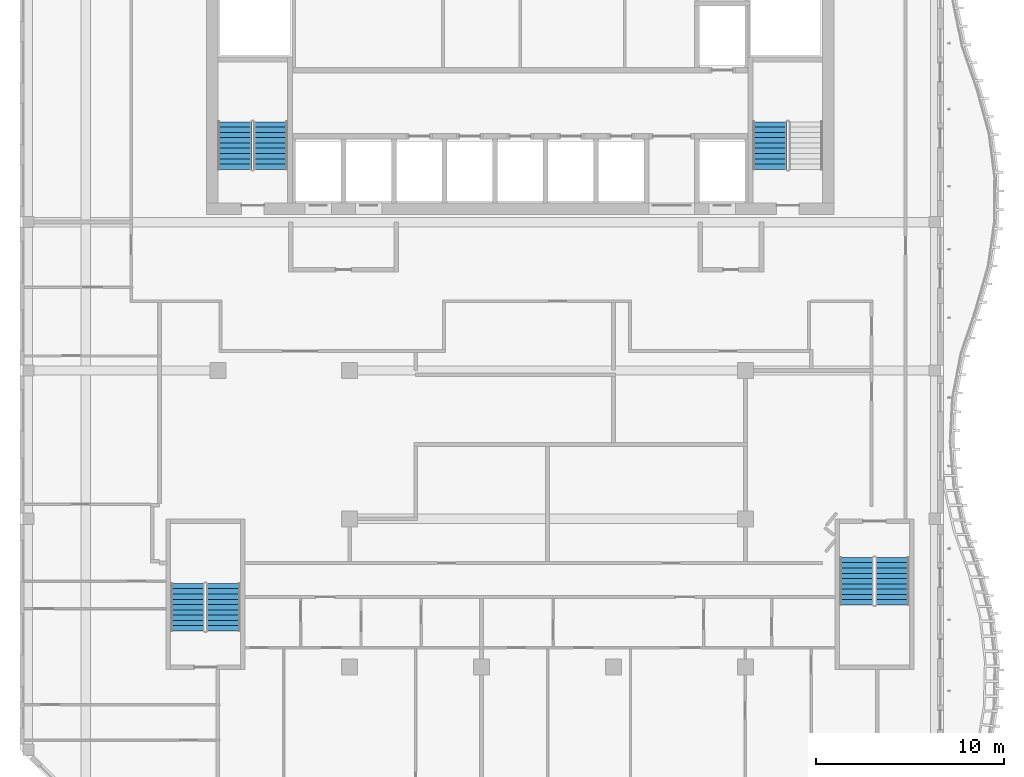
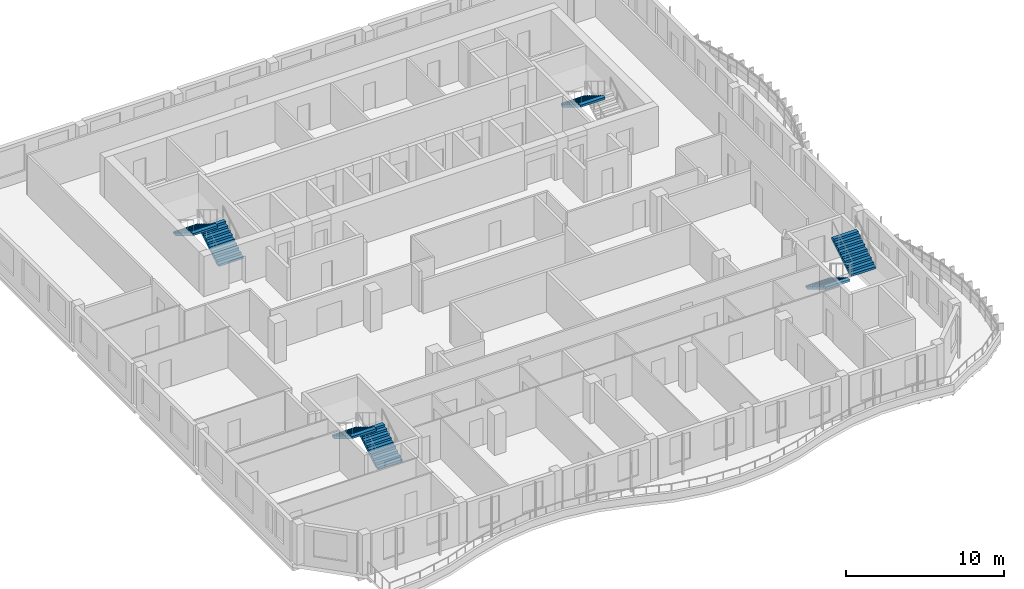
# One storey, part 9 of 17: 7 stair flights, 4 elements without a shape of their own.
"""IFC4 building model written with IfcOpenShell, lengths in metres."""

from ifc_helpers import new_model, si_unit, direction, frame, origin, place, context, subcontext, project, spatial, triangles, source, transform, mapped, material, type_object, element, aggregate, save


model = new_model("IFC4")

# Units and contexts
model_context = context("Model", 3, precision=1e-05, world=origin(), true_north=direction((0.0, 1.0)))
body_context = subcontext(model_context, "Body", "Model", "MODEL_VIEW")
ifc_project = project(units=[si_unit("LENGTHUNIT", "METRE"), si_unit("AREAUNIT", "SQUARE_METRE"), si_unit("VOLUMEUNIT", "CUBIC_METRE"), si_unit("PLANEANGLEUNIT", "RADIAN"), si_unit("MASSUNIT", "GRAM", prefix="KILO")], contexts=[model_context])

# Site, building, storey
site_placement = place(None, origin())
site = spatial("IfcSite", under=ifc_project, at=site_placement, CompositionType="ELEMENT")
building_placement = place(site_placement, origin())
building = spatial("IfcBuilding", under=site, at=building_placement, Name="Kilnfold Tower and Market Hall", CompositionType="ELEMENT")
storey_placement = place(building_placement, frame((0.0, 0.0, 301.800048828125)))
storey = spatial("IfcBuildingStorey", under=building, at=storey_placement, Name="L75", CompositionType="ELEMENT", Elevation=301.800048828125)

# Stair, stair flights
ifc_material_1 = material(Name="Concrete C40/50", Category="concrete")
stair_type = type_object("IfcStairType", Name="CORE STAIR 1800", PredefinedType="HALF_TURN_STAIR", material=ifc_material_1)
stair_1_placement = place(storey_placement, origin())
stair_1 = element("IfcStair", 1, at=stair_1_placement, inside=storey, type_object=stair_type, Name="L75 ST1", PredefinedType="HALF_TURN_STAIR")
ifc_material_2 = material(Name="Concrete C40/50", Category="concrete")
stair_flight_type = type_object("IfcStairFlightType", Name="CORE STAIR FLIGHT 1800", PredefinedType="STRAIGHT", material=ifc_material_2)
shared_shape = source(origin(), body_context, "Body", "Tessellation", [
    triangles([(0.0, 0.89990234375, 0.0), (0.0, 0.78759765625, 0.0), (0.0, 0.675048828125, 0.0), (0.0, 0.5625, 0.0), (0.0, 0.449951171875, 0.0), (0.0, 0.33740234375, 0.0), (0.0, 0.22509765625, 0.0), (0.0, 0.112548828125, 0.0), (0.0, 0.0, 0.0), (0.0, -0.112548828125, 0.0), (0.0, -0.22509765625, 0.0), (0.0, -0.33740234375, 0.0), (0.0, -0.449951171875, 0.0), (0.0, -0.5625, 0.0), (0.0, -0.675048828125, 0.0), (0.0, -0.78759765625, 0.0), (0.0, -0.89990234375, 0.0), (0.0, 0.89990234375, 0.169921875), (0.0, 0.78759765625, 0.169921875), (0.0, 0.675048828125, 0.169921875), (0.0, 0.5625, 0.169921875), (0.0, 0.449951171875, 0.169921875), (0.0, 0.33740234375, 0.169921875), (0.0, 0.22509765625, 0.169921875), (0.0, 0.112548828125, 0.169921875), (0.0, 0.0, 0.169921875), (0.0, -0.112548828125, 0.169921875), (0.0, -0.22509765625, 0.169921875), (0.0, -0.33740234375, 0.169921875), (0.0, -0.449951171875, 0.169921875), (0.0, -0.5625, 0.169921875), (0.0, -0.675048828125, 0.169921875), (0.0, -0.78759765625, 0.169921875), (0.0, -0.89990234375, 0.169921875), (0.280029296875, 0.89990234375, 0.169921875), (0.280029296875, 0.78759765625, 0.169921875), (0.280029296875, 0.675048828125, 0.169921875), (0.280029296875, 0.5625, 0.169921875), (0.280029296875, 0.449951171875, 0.169921875), (0.280029296875, 0.33740234375, 0.169921875), (0.280029296875, 0.22509765625, 0.169921875), (0.280029296875, 0.112548828125, 0.169921875), (0.280029296875, 0.0, 0.169921875), (0.280029296875, -0.112548828125, 0.169921875), (0.280029296875, -0.22509765625, 0.169921875), (0.280029296875, -0.33740234375, 0.169921875), (0.280029296875, -0.449951171875, 0.169921875), (0.280029296875, -0.5625, 0.169921875), (0.280029296875, -0.675048828125, 0.169921875), (0.280029296875, -0.78759765625, 0.169921875), (0.280029296875, -0.89990234375, 0.169921875), (0.280029296875, 0.89990234375, 0.340087890625), (0.280029296875, 0.78759765625, 0.340087890625), (0.280029296875, 0.675048828125, 0.340087890625), (0.280029296875, 0.5625, 0.340087890625), (0.280029296875, 0.449951171875, 0.340087890625), (0.280029296875, 0.33740234375, 0.340087890625), (0.280029296875, 0.22509765625, 0.340087890625), (0.280029296875, 0.112548828125, 0.340087890625), (0.280029296875, 0.0, 0.340087890625), (0.280029296875, -0.112548828125, 0.340087890625), (0.280029296875, -0.22509765625, 0.340087890625), (0.280029296875, -0.33740234375, 0.340087890625), (0.280029296875, -0.449951171875, 0.340087890625), (0.280029296875, -0.5625, 0.340087890625), (0.280029296875, -0.675048828125, 0.340087890625), (0.280029296875, -0.78759765625, 0.340087890625), (0.280029296875, -0.89990234375, 0.340087890625), (0.56005859375, 0.89990234375, 0.340087890625), (0.56005859375, 0.78759765625, 0.340087890625), (0.56005859375, 0.675048828125, 0.340087890625), (0.56005859375, 0.5625, 0.340087890625), (0.56005859375, 0.449951171875, 0.340087890625), (0.56005859375, 0.33740234375, 0.340087890625), (0.56005859375, 0.22509765625, 0.340087890625), (0.56005859375, 0.112548828125, 0.340087890625), (0.56005859375, 0.0, 0.340087890625), (0.56005859375, -0.112548828125, 0.340087890625), (0.56005859375, -0.22509765625, 0.340087890625), (0.56005859375, -0.33740234375, 0.340087890625), (0.56005859375, -0.449951171875, 0.340087890625), (0.56005859375, -0.5625, 0.340087890625), (0.56005859375, -0.675048828125, 0.340087890625), (0.56005859375, -0.78759765625, 0.340087890625), (0.56005859375, -0.89990234375, 0.340087890625), (0.56005859375, 0.89990234375, 0.510009765625), (0.56005859375, 0.78759765625, 0.510009765625), (0.56005859375, 0.675048828125, 0.510009765625), (0.56005859375, 0.5625, 0.510009765625), (0.56005859375, 0.449951171875, 0.510009765625), (0.56005859375, 0.33740234375, 0.510009765625), (0.56005859375, 0.22509765625, 0.510009765625), (0.56005859375, 0.112548828125, 0.510009765625), (0.56005859375, 0.0, 0.510009765625), (0.56005859375, -0.112548828125, 0.510009765625), (0.56005859375, -0.22509765625, 0.510009765625), (0.56005859375, -0.33740234375, 0.510009765625), (0.56005859375, -0.449951171875, 0.510009765625), (0.56005859375, -0.5625, 0.510009765625), (0.56005859375, -0.675048828125, 0.510009765625), (0.56005859375, -0.78759765625, 0.510009765625), (0.56005859375, -0.89990234375, 0.510009765625), (0.840087890625, 0.89990234375, 0.510009765625), (0.840087890625, 0.78759765625, 0.510009765625), (0.840087890625, 0.675048828125, 0.510009765625), (0.840087890625, 0.5625, 0.510009765625), (0.840087890625, 0.449951171875, 0.510009765625), (0.840087890625, 0.33740234375, 0.510009765625), (0.840087890625, 0.22509765625, 0.510009765625), (0.840087890625, 0.112548828125, 0.510009765625), (0.840087890625, 0.0, 0.510009765625), (0.840087890625, -0.112548828125, 0.510009765625), (0.840087890625, -0.22509765625, 0.510009765625), (0.840087890625, -0.33740234375, 0.510009765625), (0.840087890625, -0.449951171875, 0.510009765625), (0.840087890625, -0.5625, 0.510009765625), (0.840087890625, -0.675048828125, 0.510009765625), (0.840087890625, -0.78759765625, 0.510009765625), (0.840087890625, -0.89990234375, 0.510009765625), (0.840087890625, 0.89990234375, 0.679931640625), (0.840087890625, 0.78759765625, 0.679931640625), (0.840087890625, 0.675048828125, 0.679931640625), (0.840087890625, 0.5625, 0.679931640625), (0.840087890625, 0.449951171875, 0.679931640625), (0.840087890625, 0.33740234375, 0.679931640625), (0.840087890625, 0.22509765625, 0.679931640625), (0.840087890625, 0.112548828125, 0.679931640625), (0.840087890625, 0.0, 0.679931640625), (0.840087890625, -0.112548828125, 0.679931640625), (0.840087890625, -0.22509765625, 0.679931640625), (0.840087890625, -0.33740234375, 0.679931640625), (0.840087890625, -0.449951171875, 0.679931640625), (0.840087890625, -0.5625, 0.679931640625), (0.840087890625, -0.675048828125, 0.679931640625), (0.840087890625, -0.78759765625, 0.679931640625), (0.840087890625, -0.89990234375, 0.679931640625), (1.1201171875, 0.89990234375, 0.679931640625), (1.1201171875, 0.78759765625, 0.679931640625), (1.1201171875, 0.675048828125, 0.679931640625), (1.1201171875, 0.5625, 0.679931640625), (1.1201171875, 0.449951171875, 0.679931640625), (1.1201171875, 0.33740234375, 0.679931640625), (1.1201171875, 0.22509765625, 0.679931640625), (1.1201171875, 0.112548828125, 0.679931640625), (1.1201171875, 0.0, 0.679931640625), (1.1201171875, -0.112548828125, 0.679931640625), (1.1201171875, -0.22509765625, 0.679931640625), (1.1201171875, -0.33740234375, 0.679931640625), (1.1201171875, -0.449951171875, 0.679931640625), (1.1201171875, -0.5625, 0.679931640625), (1.1201171875, -0.675048828125, 0.679931640625), (1.1201171875, -0.78759765625, 0.679931640625), (1.1201171875, -0.89990234375, 0.679931640625), (1.1201171875, 0.89990234375, 0.85009765625), (1.1201171875, 0.78759765625, 0.85009765625), (1.1201171875, 0.675048828125, 0.85009765625), (1.1201171875, 0.5625, 0.85009765625), (1.1201171875, 0.449951171875, 0.85009765625), (1.1201171875, 0.33740234375, 0.85009765625), (1.1201171875, 0.22509765625, 0.85009765625), (1.1201171875, 0.112548828125, 0.85009765625), (1.1201171875, 0.0, 0.85009765625), (1.1201171875, -0.112548828125, 0.85009765625), (1.1201171875, -0.22509765625, 0.85009765625), (1.1201171875, -0.33740234375, 0.85009765625), (1.1201171875, -0.449951171875, 0.85009765625), (1.1201171875, -0.5625, 0.85009765625), (1.1201171875, -0.675048828125, 0.85009765625), (1.1201171875, -0.78759765625, 0.85009765625), (1.1201171875, -0.89990234375, 0.85009765625), (1.39990234375, 0.89990234375, 0.85009765625), (1.39990234375, 0.78759765625, 0.85009765625), (1.39990234375, 0.675048828125, 0.85009765625), (1.39990234375, 0.5625, 0.85009765625), (1.39990234375, 0.449951171875, 0.85009765625), (1.39990234375, 0.33740234375, 0.85009765625), (1.39990234375, 0.22509765625, 0.85009765625), (1.39990234375, 0.112548828125, 0.85009765625), (1.39990234375, 0.0, 0.85009765625), (1.39990234375, -0.112548828125, 0.85009765625), (1.39990234375, -0.22509765625, 0.85009765625), (1.39990234375, -0.33740234375, 0.85009765625), (1.39990234375, -0.449951171875, 0.85009765625), (1.39990234375, -0.5625, 0.85009765625), (1.39990234375, -0.675048828125, 0.85009765625), (1.39990234375, -0.78759765625, 0.85009765625), (1.39990234375, -0.89990234375, 0.85009765625), (1.39990234375, 0.89990234375, 1.02001953125), (1.39990234375, 0.78759765625, 1.02001953125), (1.39990234375, 0.675048828125, 1.02001953125), (1.39990234375, 0.5625, 1.02001953125), (1.39990234375, 0.449951171875, 1.02001953125), (1.39990234375, 0.33740234375, 1.02001953125), (1.39990234375, 0.22509765625, 1.02001953125), (1.39990234375, 0.112548828125, 1.02001953125), (1.39990234375, 0.0, 1.02001953125), (1.39990234375, -0.112548828125, 1.02001953125), (1.39990234375, -0.22509765625, 1.02001953125), (1.39990234375, -0.33740234375, 1.02001953125), (1.39990234375, -0.449951171875, 1.02001953125), (1.39990234375, -0.5625, 1.02001953125), (1.39990234375, -0.675048828125, 1.02001953125), (1.39990234375, -0.78759765625, 1.02001953125), (1.39990234375, -0.89990234375, 1.02001953125), (1.679931640625, 0.89990234375, 1.02001953125), (1.679931640625, 0.78759765625, 1.02001953125), (1.679931640625, 0.675048828125, 1.02001953125), (1.679931640625, 0.5625, 1.02001953125), (1.679931640625, 0.449951171875, 1.02001953125), (1.679931640625, 0.33740234375, 1.02001953125), (1.679931640625, 0.22509765625, 1.02001953125), (1.679931640625, 0.112548828125, 1.02001953125), (1.679931640625, 0.0, 1.02001953125), (1.679931640625, -0.112548828125, 1.02001953125), (1.679931640625, -0.22509765625, 1.02001953125), (1.679931640625, -0.33740234375, 1.02001953125), (1.679931640625, -0.449951171875, 1.02001953125), (1.679931640625, -0.5625, 1.02001953125), (1.679931640625, -0.675048828125, 1.02001953125), (1.679931640625, -0.78759765625, 1.02001953125), (1.679931640625, -0.89990234375, 1.02001953125), (1.679931640625, 0.89990234375, 1.18994140625), (1.679931640625, 0.78759765625, 1.18994140625), (1.679931640625, 0.675048828125, 1.18994140625), (1.679931640625, 0.5625, 1.18994140625), (1.679931640625, 0.449951171875, 1.18994140625), (1.679931640625, 0.33740234375, 1.18994140625), (1.679931640625, 0.22509765625, 1.18994140625), (1.679931640625, 0.112548828125, 1.18994140625), (1.679931640625, 0.0, 1.18994140625), (1.679931640625, -0.112548828125, 1.18994140625), (1.679931640625, -0.22509765625, 1.18994140625), (1.679931640625, -0.33740234375, 1.18994140625), (1.679931640625, -0.449951171875, 1.18994140625), (1.679931640625, -0.5625, 1.18994140625), (1.679931640625, -0.675048828125, 1.18994140625), (1.679931640625, -0.78759765625, 1.18994140625), (1.679931640625, -0.89990234375, 1.18994140625), (1.9599609375, 0.89990234375, 1.18994140625), (1.9599609375, 0.78759765625, 1.18994140625), (1.9599609375, 0.675048828125, 1.18994140625), (1.9599609375, 0.5625, 1.18994140625), (1.9599609375, 0.449951171875, 1.18994140625), (1.9599609375, 0.33740234375, 1.18994140625), (1.9599609375, 0.22509765625, 1.18994140625), (1.9599609375, 0.112548828125, 1.18994140625), (1.9599609375, 0.0, 1.18994140625), (1.9599609375, -0.112548828125, 1.18994140625), (1.9599609375, -0.22509765625, 1.18994140625), (1.9599609375, -0.33740234375, 1.18994140625), (1.9599609375, -0.449951171875, 1.18994140625), (1.9599609375, -0.5625, 1.18994140625), (1.9599609375, -0.675048828125, 1.18994140625), (1.9599609375, -0.78759765625, 1.18994140625), (1.9599609375, -0.89990234375, 1.18994140625), (1.9599609375, 0.89990234375, 1.360107421875), (1.9599609375, 0.78759765625, 1.360107421875), (1.9599609375, 0.675048828125, 1.360107421875), (1.9599609375, 0.5625, 1.360107421875), (1.9599609375, 0.449951171875, 1.360107421875), (1.9599609375, 0.33740234375, 1.360107421875), (1.9599609375, 0.22509765625, 1.360107421875), (1.9599609375, 0.112548828125, 1.360107421875), (1.9599609375, 0.0, 1.360107421875), (1.9599609375, -0.112548828125, 1.360107421875), (1.9599609375, -0.22509765625, 1.360107421875), (1.9599609375, -0.33740234375, 1.360107421875), (1.9599609375, -0.449951171875, 1.360107421875), (1.9599609375, -0.5625, 1.360107421875), (1.9599609375, -0.675048828125, 1.360107421875), (1.9599609375, -0.78759765625, 1.360107421875), (1.9599609375, -0.89990234375, 1.360107421875), (2.239990234375, 0.89990234375, 1.360107421875), (2.239990234375, 0.78759765625, 1.360107421875), (2.239990234375, 0.675048828125, 1.360107421875), (2.239990234375, 0.5625, 1.360107421875), (2.239990234375, 0.449951171875, 1.360107421875), (2.239990234375, 0.33740234375, 1.360107421875), (2.239990234375, 0.22509765625, 1.360107421875), (2.239990234375, 0.112548828125, 1.360107421875), (2.239990234375, 0.0, 1.360107421875), (2.239990234375, -0.112548828125, 1.360107421875), (2.239990234375, -0.22509765625, 1.360107421875), (2.239990234375, -0.33740234375, 1.360107421875), (2.239990234375, -0.449951171875, 1.360107421875), (2.239990234375, -0.5625, 1.360107421875), (2.239990234375, -0.675048828125, 1.360107421875), (2.239990234375, -0.78759765625, 1.360107421875), (2.239990234375, -0.89990234375, 1.360107421875), (2.239990234375, 0.89990234375, 1.530029296875), (2.239990234375, 0.78759765625, 1.530029296875), (2.239990234375, 0.675048828125, 1.530029296875), (2.239990234375, 0.5625, 1.530029296875), (2.239990234375, 0.449951171875, 1.530029296875), (2.239990234375, 0.33740234375, 1.530029296875), (2.239990234375, 0.22509765625, 1.530029296875), (2.239990234375, 0.112548828125, 1.530029296875), (2.239990234375, 0.0, 1.530029296875), (2.239990234375, -0.112548828125, 1.530029296875), (2.239990234375, -0.22509765625, 1.530029296875), (2.239990234375, -0.33740234375, 1.530029296875), (2.239990234375, -0.449951171875, 1.530029296875), (2.239990234375, -0.5625, 1.530029296875), (2.239990234375, -0.675048828125, 1.530029296875), (2.239990234375, -0.78759765625, 1.530029296875), (2.239990234375, -0.89990234375, 1.530029296875), (2.52001953125, 0.89990234375, 1.530029296875), (2.52001953125, 0.78759765625, 1.530029296875), (2.52001953125, 0.675048828125, 1.530029296875), (2.52001953125, 0.5625, 1.530029296875), (2.52001953125, 0.449951171875, 1.530029296875), (2.52001953125, 0.33740234375, 1.530029296875), (2.52001953125, 0.22509765625, 1.530029296875), (2.52001953125, 0.112548828125, 1.530029296875), (2.52001953125, 0.0, 1.530029296875), (2.52001953125, -0.112548828125, 1.530029296875), (2.52001953125, -0.22509765625, 1.530029296875), (2.52001953125, -0.33740234375, 1.530029296875), (2.52001953125, -0.449951171875, 1.530029296875), (2.52001953125, -0.5625, 1.530029296875), (2.52001953125, -0.675048828125, 1.530029296875), (2.52001953125, -0.78759765625, 1.530029296875), (2.52001953125, -0.89990234375, 1.530029296875), (2.52001953125, 0.89990234375, 1.354736328125), (2.52001953125, 0.78759765625, 1.354736328125), (2.52001953125, 0.675048828125, 1.354736328125), (2.52001953125, 0.5625, 1.354736328125), (2.52001953125, 0.449951171875, 1.354736328125), (2.52001953125, 0.33740234375, 1.354736328125), (2.52001953125, 0.22509765625, 1.354736328125), (2.52001953125, 0.112548828125, 1.354736328125), (2.52001953125, 0.0, 1.354736328125), (2.52001953125, -0.112548828125, 1.354736328125), (2.52001953125, -0.22509765625, 1.354736328125), (2.52001953125, -0.33740234375, 1.354736328125), (2.52001953125, -0.449951171875, 1.354736328125), (2.52001953125, -0.5625, 1.354736328125), (2.52001953125, -0.675048828125, 1.354736328125), (2.52001953125, -0.78759765625, 1.354736328125), (2.52001953125, -0.89990234375, 1.354736328125), (0.288818359375, 0.89990234375, 0.0), (0.288818359375, 0.78759765625, 0.0), (0.288818359375, 0.675048828125, 0.0), (0.288818359375, 0.5625, 0.0), (0.288818359375, 0.449951171875, 0.0), (0.288818359375, 0.33740234375, 0.0), (0.288818359375, 0.22509765625, 0.0), (0.288818359375, 0.112548828125, 0.0), (0.288818359375, 0.0, 0.0), (0.288818359375, -0.112548828125, 0.0), (0.288818359375, -0.22509765625, 0.0), (0.288818359375, -0.33740234375, 0.0), (0.288818359375, -0.449951171875, 0.0), (0.288818359375, -0.5625, 0.0), (0.288818359375, -0.675048828125, 0.0), (0.288818359375, -0.78759765625, 0.0), (0.288818359375, -0.89990234375, 0.0)], [[1, 324, 341], [17, 357, 340], [324, 290, 307], [340, 323, 306], [324, 273, 290], [340, 306, 289], [324, 256, 273], [340, 289, 272], [324, 239, 256], [340, 272, 255], [239, 205, 222], [255, 238, 221], [324, 205, 239], [340, 255, 221], [205, 171, 188], [221, 204, 187], [324, 171, 205], [340, 221, 187], [171, 137, 154], [187, 170, 153], [324, 137, 171], [340, 187, 153], [137, 103, 120], [153, 136, 119], [324, 103, 137], [340, 153, 119], [103, 69, 86], [119, 102, 85], [324, 69, 103], [340, 119, 85], [69, 35, 52], [85, 68, 51], [324, 35, 69], [340, 85, 51], [1, 35, 324], [17, 340, 51], [35, 1, 18], [51, 34, 17], [1, 19, 18], [1, 2, 19], [2, 20, 19], [2, 3, 20], [3, 21, 20], [3, 4, 21], [4, 22, 21], [4, 5, 22], [5, 23, 22], [5, 6, 23], [6, 24, 23], [6, 7, 24], [7, 25, 24], [7, 8, 25], [8, 26, 25], [8, 9, 26], [9, 27, 26], [9, 10, 27], [10, 28, 27], [10, 11, 28], [11, 29, 28], [11, 12, 29], [12, 30, 29], [12, 13, 30], [13, 31, 30], [13, 14, 31], [14, 32, 31], [14, 15, 32], [15, 33, 32], [15, 16, 33], [16, 34, 33], [16, 17, 34], [18, 36, 35], [18, 19, 36], [19, 37, 36], [19, 20, 37], [20, 38, 37], [20, 21, 38], [21, 39, 38], [21, 22, 39], [22, 40, 39], [22, 23, 40], [23, 41, 40], [23, 24, 41], [24, 42, 41], [24, 25, 42], [25, 43, 42], [25, 26, 43], [26, 44, 43], [26, 27, 44], [27, 45, 44], [27, 28, 45], [28, 46, 45], [28, 29, 46], [29, 47, 46], [29, 30, 47], [30, 48, 47], [30, 31, 48], [31, 49, 48], [31, 32, 49], [32, 50, 49], [32, 33, 50], [33, 51, 50], [33, 34, 51], [35, 53, 52], [35, 36, 53], [36, 54, 53], [36, 37, 54], [37, 55, 54], [37, 38, 55], [38, 56, 55], [38, 39, 56], [39, 57, 56], [39, 40, 57], [40, 58, 57], [40, 41, 58], [41, 59, 58], [41, 42, 59], [42, 60, 59], [42, 43, 60], [43, 61, 60], [43, 44, 61], [44, 62, 61], [44, 45, 62], [45, 63, 62], [45, 46, 63], [46, 64, 63], [46, 47, 64], [47, 65, 64], [47, 48, 65], [48, 66, 65], [48, 49, 66], [49, 67, 66], [49, 50, 67], [50, 68, 67], [50, 51, 68], [52, 70, 69], [52, 53, 70], [53, 71, 70], [53, 54, 71], [54, 72, 71], [54, 55, 72], [55, 73, 72], [55, 56, 73], [56, 74, 73], [56, 57, 74], [57, 75, 74], [57, 58, 75], [58, 76, 75], [58, 59, 76], [59, 77, 76], [59, 60, 77], [60, 78, 77], [60, 61, 78], [61, 79, 78], [61, 62, 79], [62, 80, 79], [62, 63, 80], [63, 81, 80], [63, 64, 81], [64, 82, 81], [64, 65, 82], [65, 83, 82], [65, 66, 83], [66, 84, 83], [66, 67, 84], [67, 85, 84], [67, 68, 85], [69, 87, 86], [69, 70, 87], [70, 88, 87], [70, 71, 88], [71, 89, 88], [71, 72, 89], [72, 90, 89], [72, 73, 90], [73, 91, 90], [73, 74, 91], [74, 92, 91], [74, 75, 92], [75, 93, 92], [75, 76, 93], [76, 94, 93], [76, 77, 94], [77, 95, 94], [77, 78, 95], [78, 96, 95], [78, 79, 96], [79, 97, 96], [79, 80, 97], [80, 98, 97], [80, 81, 98], [81, 99, 98], [81, 82, 99], [82, 100, 99], [82, 83, 100], [83, 101, 100], [83, 84, 101], [84, 102, 101], [84, 85, 102], [86, 104, 103], [86, 87, 104], [87, 105, 104], [87, 88, 105], [88, 106, 105], [88, 89, 106], [89, 107, 106], [89, 90, 107], [90, 108, 107], [90, 91, 108], [91, 109, 108], [91, 92, 109], [92, 110, 109], [92, 93, 110], [93, 111, 110], [93, 94, 111], [94, 112, 111], [94, 95, 112], [95, 113, 112], [95, 96, 113], [96, 114, 113], [96, 97, 114], [97, 115, 114], [97, 98, 115], [98, 116, 115], [98, 99, 116], [99, 117, 116], [99, 100, 117], [100, 118, 117], [100, 101, 118], [101, 119, 118], [101, 102, 119], [103, 121, 120], [103, 104, 121], [104, 122, 121], [104, 105, 122], [105, 123, 122], [105, 106, 123], [106, 124, 123], [106, 107, 124], [107, 125, 124], [107, 108, 125], [108, 126, 125], [108, 109, 126], [109, 127, 126], [109, 110, 127], [110, 128, 127], [110, 111, 128], [111, 129, 128], [111, 112, 129], [112, 130, 129], [112, 113, 130], [113, 131, 130], [113, 114, 131], [114, 132, 131], [114, 115, 132], [115, 133, 132], [115, 116, 133], [116, 134, 133], [116, 117, 134], [117, 135, 134], [117, 118, 135], [118, 136, 135], [118, 119, 136], [120, 138, 137], [120, 121, 138], [121, 139, 138], [121, 122, 139], [122, 140, 139], [122, 123, 140], [123, 141, 140], [123, 124, 141], [124, 142, 141], [124, 125, 142], [125, 143, 142], [125, 126, 143], [126, 144, 143], [126, 127, 144], [127, 145, 144], [127, 128, 145], [128, 146, 145], [128, 129, 146], [129, 147, 146], [129, 130, 147], [130, 148, 147], [130, 131, 148], [131, 149, 148], [131, 132, 149], [132, 150, 149], [132, 133, 150], [133, 151, 150], [133, 134, 151], [134, 152, 151], [134, 135, 152], [135, 153, 152], [135, 136, 153], [137, 155, 154], [137, 138, 155], [138, 156, 155], [138, 139, 156], [139, 157, 156], [139, 140, 157], [140, 158, 157], [140, 141, 158], [141, 159, 158], [141, 142, 159], [142, 160, 159], [142, 143, 160], [143, 161, 160], [143, 144, 161], [144, 162, 161], [144, 145, 162], [145, 163, 162], [145, 146, 163], [146, 164, 163], [146, 147, 164], [147, 165, 164], [147, 148, 165], [148, 166, 165], [148, 149, 166], [149, 167, 166], [149, 150, 167], [150, 168, 167], [150, 151, 168], [151, 169, 168], [151, 152, 169], [152, 170, 169], [152, 153, 170], [154, 172, 171], [154, 155, 172], [155, 173, 172], [155, 156, 173], [156, 174, 173], [156, 157, 174], [157, 175, 174], [157, 158, 175], [158, 176, 175], [158, 159, 176], [159, 177, 176], [159, 160, 177], [160, 178, 177], [160, 161, 178], [161, 179, 178], [161, 162, 179], [162, 180, 179], [162, 163, 180], [163, 181, 180], [163, 164, 181], [164, 182, 181], [164, 165, 182], [165, 183, 182], [165, 166, 183], [166, 184, 183], [166, 167, 184], [167, 185, 184], [167, 168, 185], [168, 186, 185], [168, 169, 186], [169, 187, 186], [169, 170, 187], [171, 189, 188], [171, 172, 189], [172, 190, 189], [172, 173, 190], [173, 191, 190], [173, 174, 191], [174, 192, 191], [174, 175, 192], [175, 193, 192], [175, 176, 193], [176, 194, 193], [176, 177, 194], [177, 195, 194], [177, 178, 195], [178, 196, 195], [178, 179, 196], [179, 197, 196], [179, 180, 197], [180, 198, 197], [180, 181, 198], [181, 199, 198], [181, 182, 199], [182, 200, 199], [182, 183, 200], [183, 201, 200], [183, 184, 201], [184, 202, 201], [184, 185, 202], [185, 203, 202], [185, 186, 203], [186, 204, 203], [186, 187, 204], [188, 206, 205], [188, 189, 206], [189, 207, 206], [189, 190, 207], [190, 208, 207], [190, 191, 208], [191, 209, 208], [191, 192, 209], [192, 210, 209], [192, 193, 210], [193, 211, 210], [193, 194, 211], [194, 212, 211], [194, 195, 212], [195, 213, 212], [195, 196, 213], [196, 214, 213], [196, 197, 214], [197, 215, 214], [197, 198, 215], [198, 216, 215], [198, 199, 216], [199, 217, 216], [199, 200, 217], [200, 218, 217], [200, 201, 218], [201, 219, 218], [201, 202, 219], [202, 220, 219], [202, 203, 220], [203, 221, 220], [203, 204, 221], [205, 223, 222], [205, 206, 223], [206, 224, 223], [206, 207, 224], [207, 225, 224], [207, 208, 225], [208, 226, 225], [208, 209, 226], [209, 227, 226], [209, 210, 227], [210, 228, 227], [210, 211, 228], [211, 229, 228], [211, 212, 229], [212, 230, 229], [212, 213, 230], [213, 231, 230], [213, 214, 231], [214, 232, 231], [214, 215, 232], [215, 233, 232], [215, 216, 233], [216, 234, 233], [216, 217, 234], [217, 235, 234], [217, 218, 235], [218, 236, 235], [218, 219, 236], [219, 237, 236], [219, 220, 237], [220, 238, 237], [220, 221, 238], [222, 240, 239], [222, 223, 240], [223, 241, 240], [223, 224, 241], [224, 242, 241], [224, 225, 242], [225, 243, 242], [225, 226, 243], [226, 244, 243], [226, 227, 244], [227, 245, 244], [227, 228, 245], [228, 246, 245], [228, 229, 246], [229, 247, 246], [229, 230, 247], [230, 248, 247], [230, 231, 248], [231, 249, 248], [231, 232, 249], [232, 250, 249], [232, 233, 250], [233, 251, 250], [233, 234, 251], [234, 252, 251], [234, 235, 252], [235, 253, 252], [235, 236, 253], [236, 254, 253], [236, 237, 254], [237, 255, 254], [237, 238, 255], [239, 257, 256], [239, 240, 257], [240, 258, 257], [240, 241, 258], [241, 259, 258], [241, 242, 259], [242, 260, 259], [242, 243, 260], [243, 261, 260], [243, 244, 261], [244, 262, 261], [244, 245, 262], [245, 263, 262], [245, 246, 263], [246, 264, 263], [246, 247, 264], [247, 265, 264], [247, 248, 265], [248, 266, 265], [248, 249, 266], [249, 267, 266], [249, 250, 267], [250, 268, 267], [250, 251, 268], [251, 269, 268], [251, 252, 269], [252, 270, 269], [252, 253, 270], [253, 271, 270], [253, 254, 271], [254, 272, 271], [254, 255, 272], [256, 274, 273], [256, 257, 274], [257, 275, 274], [257, 258, 275], [258, 276, 275], [258, 259, 276], [259, 277, 276], [259, 260, 277], [260, 278, 277], [260, 261, 278], [261, 279, 278], [261, 262, 279], [262, 280, 279], [262, 263, 280], [263, 281, 280], [263, 264, 281], [264, 282, 281], [264, 265, 282], [265, 283, 282], [265, 266, 283], [266, 284, 283], [266, 267, 284], [267, 285, 284], [267, 268, 285], [268, 286, 285], [268, 269, 286], [269, 287, 286], [269, 270, 287], [270, 288, 287], [270, 271, 288], [271, 289, 288], [271, 272, 289], [273, 291, 290], [273, 274, 291], [274, 292, 291], [274, 275, 292], [275, 293, 292], [275, 276, 293], [276, 294, 293], [276, 277, 294], [277, 295, 294], [277, 278, 295], [278, 296, 295], [278, 279, 296], [279, 297, 296], [279, 280, 297], [280, 298, 297], [280, 281, 298], [281, 299, 298], [281, 282, 299], [282, 300, 299], [282, 283, 300], [283, 301, 300], [283, 284, 301], [284, 302, 301], [284, 285, 302], [285, 303, 302], [285, 286, 303], [286, 304, 303], [286, 287, 304], [287, 305, 304], [287, 288, 305], [288, 306, 305], [288, 289, 306], [290, 308, 307], [290, 291, 308], [291, 309, 308], [291, 292, 309], [292, 310, 309], [292, 293, 310], [293, 311, 310], [293, 294, 311], [294, 312, 311], [294, 295, 312], [295, 313, 312], [295, 296, 313], [296, 314, 313], [296, 297, 314], [297, 315, 314], [297, 298, 315], [298, 316, 315], [298, 299, 316], [299, 317, 316], [299, 300, 317], [300, 318, 317], [300, 301, 318], [301, 319, 318], [301, 302, 319], [302, 320, 319], [302, 303, 320], [303, 321, 320], [303, 304, 321], [304, 322, 321], [304, 305, 322], [305, 323, 322], [305, 306, 323], [307, 325, 324], [307, 308, 325], [308, 326, 325], [308, 309, 326], [309, 327, 326], [309, 310, 327], [310, 328, 327], [310, 311, 328], [311, 329, 328], [311, 312, 329], [312, 330, 329], [312, 313, 330], [313, 331, 330], [313, 314, 331], [314, 332, 331], [314, 315, 332], [315, 333, 332], [315, 316, 333], [316, 334, 333], [316, 317, 334], [317, 335, 334], [317, 318, 335], [318, 336, 335], [318, 319, 336], [319, 337, 336], [319, 320, 337], [320, 338, 337], [320, 321, 338], [321, 339, 338], [321, 322, 339], [322, 340, 339], [322, 323, 340], [324, 342, 341], [324, 325, 342], [325, 343, 342], [325, 326, 343], [326, 344, 343], [326, 327, 344], [327, 345, 344], [327, 328, 345], [328, 346, 345], [328, 329, 346], [329, 347, 346], [329, 330, 347], [330, 348, 347], [330, 331, 348], [331, 349, 348], [331, 332, 349], [332, 350, 349], [332, 333, 350], [333, 351, 350], [333, 334, 351], [334, 352, 351], [334, 335, 352], [335, 353, 352], [335, 336, 353], [336, 354, 353], [336, 337, 354], [337, 355, 354], [337, 338, 355], [338, 356, 355], [338, 339, 356], [339, 357, 356], [339, 340, 357], [341, 2, 1], [341, 342, 2], [342, 3, 2], [342, 343, 3], [343, 4, 3], [343, 344, 4], [344, 5, 4], [344, 345, 5], [345, 6, 5], [345, 346, 6], [346, 7, 6], [346, 347, 7], [347, 8, 7], [347, 348, 8], [348, 9, 8], [348, 349, 9], [349, 10, 9], [349, 350, 10], [350, 11, 10], [350, 351, 11], [351, 12, 11], [351, 352, 12], [352, 13, 12], [352, 353, 13], [353, 14, 13], [353, 354, 14], [354, 15, 14], [354, 355, 15], [355, 16, 15], [355, 356, 16], [356, 17, 16], [356, 357, 17]], closed=True),
])
stair_flight_1_placement = place(storey_placement, frame((-12.199951171875, 10.800048828125, 0.0), z_axis=(0.0, 0.0, 1.0), x_axis=(0.0, 1.0, 0.0)))
stair_flight_1 = element("IfcStairFlight", 2, at=stair_flight_1_placement, type_object=stair_flight_type, Name="ST1 flight 1", NumberOfRisers=10, NumberOfTreads=9, PredefinedType="STRAIGHT", RiserHeight=0.17, TreadLength=0.28, context=body_context, shape_type="MappedRepresentation", body=[
    mapped(shared_shape, transform((0.0, 0.0, 0.0))),
])
stair_flight_2_placement = place(storey_placement, frame((-14.10009765625, 13.320068359375, 1.699951171875), z_axis=(0.0, 0.0, 1.0), x_axis=(0.0, -1.0, 0.0)))
stair_flight_2 = element("IfcStairFlight", 3, at=stair_flight_2_placement, type_object=stair_flight_type, Name="ST1 flight 2", NumberOfRisers=10, NumberOfTreads=9, PredefinedType="STRAIGHT", RiserHeight=0.17, TreadLength=0.28, context=body_context, shape_type="MappedRepresentation", body=[
    mapped(shared_shape, transform((0.0, 0.0, 0.0))),
])
aggregate(stair_1, [stair_flight_1, stair_flight_2])

# Stair, stair flight
stair_2_placement = place(storey_placement, origin())
stair_2 = element("IfcStair", 4, at=stair_2_placement, inside=storey, type_object=stair_type, Name="L75 ST2", PredefinedType="HALF_TURN_STAIR")
stair_flight_3_placement = place(storey_placement, frame((14.300048828125, 13.320068359375, 1.699951171875), z_axis=(0.0, 0.0, 1.0), x_axis=(0.0, -1.0, 0.0)))
stair_flight_3 = element("IfcStairFlight", 5, at=stair_flight_3_placement, type_object=stair_flight_type, Name="ST2 flight 2", NumberOfRisers=10, NumberOfTreads=9, PredefinedType="STRAIGHT", RiserHeight=0.17, TreadLength=0.28, context=body_context, shape_type="MappedRepresentation", body=[
    mapped(shared_shape, transform((0.0, 0.0, 0.0))),
])
aggregate(stair_2, [stair_flight_3])

# Stair, stair flights
stair_3_placement = place(storey_placement, origin())
stair_3 = element("IfcStair", 6, at=stair_3_placement, inside=storey, type_object=stair_type, Name="L75 ST3", PredefinedType="HALF_TURN_STAIR")
stair_flight_4_placement = place(storey_placement, frame((-14.699951171875, -13.699951171875, 0.0), z_axis=(0.0, 0.0, 1.0), x_axis=(0.0, 1.0, 0.0)))
stair_flight_4 = element("IfcStairFlight", 7, at=stair_flight_4_placement, type_object=stair_flight_type, Name="ST3 flight 1", NumberOfRisers=10, NumberOfTreads=9, PredefinedType="STRAIGHT", RiserHeight=0.17, TreadLength=0.28, context=body_context, shape_type="MappedRepresentation", body=[
    mapped(shared_shape, transform((0.0, 0.0, 0.0))),
])
stair_flight_5_placement = place(storey_placement, frame((-16.60009765625, -11.179931640625, 1.699951171875), z_axis=(0.0, 0.0, 1.0), x_axis=(0.0, -1.0, 0.0)))
stair_flight_5 = element("IfcStairFlight", 8, at=stair_flight_5_placement, type_object=stair_flight_type, Name="ST3 flight 2", NumberOfRisers=10, NumberOfTreads=9, PredefinedType="STRAIGHT", RiserHeight=0.17, TreadLength=0.28, context=body_context, shape_type="MappedRepresentation", body=[
    mapped(shared_shape, transform((0.0, 0.0, 0.0))),
])
aggregate(stair_3, [stair_flight_4, stair_flight_5])

stair_4_placement = place(storey_placement, origin())
stair_4 = element("IfcStair", 9, at=stair_4_placement, inside=storey, type_object=stair_type, Name="L75 ST4", PredefinedType="HALF_TURN_STAIR")
stair_flight_6_placement = place(storey_placement, frame((18.89990234375, -9.800048828125, 0.0), z_axis=(0.0, 0.0, 1.0), x_axis=(0.0, -1.0, 0.0)))
stair_flight_6 = element("IfcStairFlight", 10, at=stair_flight_6_placement, type_object=stair_flight_type, Name="ST4 flight 1", NumberOfRisers=10, NumberOfTreads=9, PredefinedType="STRAIGHT", RiserHeight=0.17, TreadLength=0.28, context=body_context, shape_type="MappedRepresentation", body=[
    mapped(shared_shape, transform((0.0, 0.0, 0.0))),
])
stair_flight_7_placement = place(storey_placement, frame((20.800048828125, -12.320068359375, 1.699951171875), z_axis=(0.0, 0.0, 1.0), x_axis=(0.0, 1.0, 0.0)))
stair_flight_7 = element("IfcStairFlight", 11, at=stair_flight_7_placement, type_object=stair_flight_type, Name="ST4 flight 2", NumberOfRisers=10, NumberOfTreads=9, PredefinedType="STRAIGHT", RiserHeight=0.17, TreadLength=0.28, context=body_context, shape_type="MappedRepresentation", body=[
    mapped(shared_shape, transform((0.0, 0.0, 0.0))),
])
aggregate(stair_4, [stair_flight_6, stair_flight_7])

save(model, "model.ifc")
